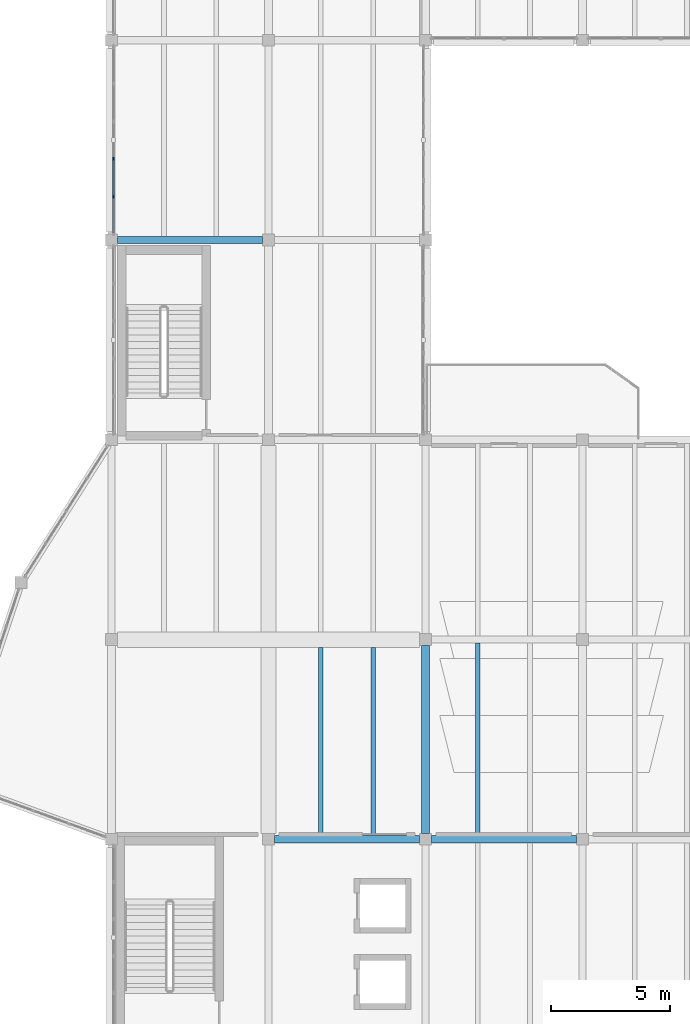
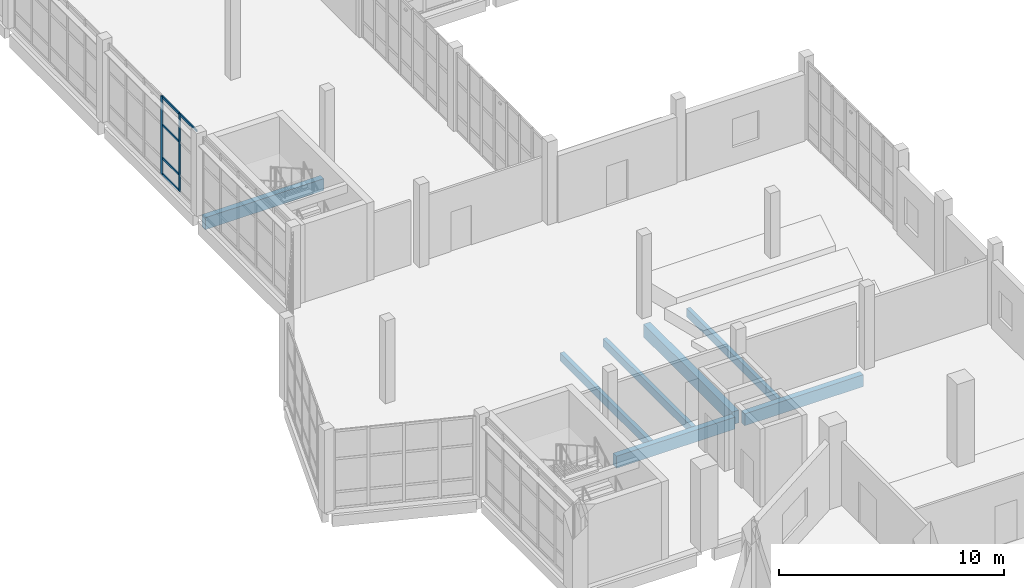
# One storey, part 24 of 76: 7 beams, 7 members, 1 element without a shape of its own.
"""IFC4 building model written with IfcOpenShell, lengths in metres."""

from ifc_helpers import new_model, si_unit, direction, frame, origin, origin_2d, place, context, subcontext, project, spatial, rectangle, extrude, material, material_profile, profile_set, type_object, element, aggregate, save


model = new_model("IFC4")

# Units and contexts
model_context = context("Model", 3, precision=1e-05, world=origin(), true_north=direction((0.0, 1.0)))
body_context = subcontext(model_context, "Body", "Model", "MODEL_VIEW")
ifc_project = project(units=[si_unit("LENGTHUNIT", "METRE"), si_unit("AREAUNIT", "SQUARE_METRE"), si_unit("VOLUMEUNIT", "CUBIC_METRE"), si_unit("PLANEANGLEUNIT", "RADIAN"), si_unit("MASSUNIT", "GRAM", prefix="KILO")], contexts=[model_context])

# Site, building, storey
site_placement = place(None, origin())
site = spatial("IfcSite", under=ifc_project, at=site_placement, CompositionType="ELEMENT")
building_placement = place(site_placement, origin())
building = spatial("IfcBuilding", under=site, at=building_placement, Name="Qaldarim Faculty of Natural and Applied Sciences", CompositionType="ELEMENT")
storey_placement = place(building_placement, frame((0.0, 0.0, 9.89990234375)))
storey = spatial("IfcBuildingStorey", under=building, at=storey_placement, Name="L02", CompositionType="ELEMENT", Elevation=9.89990234375)

# Beams
ifc_material_1 = material(Name="Concrete C40/50", Category="concrete")
ifc_material_profile_1 = material_profile(ifc_material_1, rectangle(XDim=0.199951171875, YDim=0.449951171875, at=origin_2d()), Name="RC-J200x450")
ifc_profile_set_1 = profile_set([ifc_material_profile_1], Name="Concrete C40/50")
beam_type_1 = type_object("IfcBeamType", Name="LabJoist-RC200x450", PredefinedType="JOIST", material=ifc_profile_set_1)
for number, where, z_axis, x_axis, name in (
    (1, (160.60009765625, 67.35009765625, -0.52490234375), (0.0, 1.0, 0.0), (-1.0, 0.0, 0.0), "Laboratory joist L01 bay X25Y09-1"),
    (2, (162.800048828125, 67.35009765625, -0.52490234375), (0.0, 1.0, 0.0), (-1.0, 0.0, 0.0), "Laboratory joist L01 bay X25Y09-2"),
):
    element("IfcBeam", number, at=place(storey_placement, frame(where, z_axis=z_axis, x_axis=x_axis)), inside=storey, type_object=beam_type_1, Name=name, PredefinedType="JOIST", context=body_context, shape_type="SweptSolid", body=[
        extrude(rectangle(XDim=0.199951171875, YDim=0.449951171875, at=origin_2d()), origin(), (0.0, 0.0, 1.0), 7.9248046875),
    ])
beam_1_placement = place(storey_placement, frame((167.199951171875, 67.35009765625, -0.52490234375), z_axis=(0.0, 1.0, 0.0), x_axis=(-1.0, 0.0, 0.0)))
element("IfcBeam", 3, at=beam_1_placement, inside=storey, type_object=beam_type_1, Name="Laboratory joist L01 bay X26Y09-1", PredefinedType="JOIST", context=body_context, shape_type="SweptSolid", body=[
    extrude(rectangle(XDim=0.199951171875, YDim=0.449951171875, at=origin_2d()), origin(), (0.0, 0.0, 1.0), 8.099853515625),
])

# Curtain wall, members
ifc_material_2 = material(Name="Anodised aluminium AW-6063", Category="aluminium")
curtain_wall_type = type_object("IfcCurtainWallType", Name="CurtainWallSystem-M1600", PredefinedType="USERDEFINED", material=ifc_material_2)
curtain_wall_placement = place(storey_placement, origin())
curtain_wall = element("IfcCurtainWall", 4, at=curtain_wall_placement, inside=storey, type_object=curtain_wall_type, Name="Curtain wall CW-L02-W-X24Y12", ObjectType="UNITISED FACADE", PredefinedType="USERDEFINED")
ifc_material_profile_2 = material_profile(ifc_material_2, rectangle(XDim=0.06005859375, YDim=0.14990234375, at=origin_2d()), Name="ALU-M60x150")
ifc_profile_set_2 = profile_set([ifc_material_profile_2], Name="Anodised aluminium AW-6063")
member_type_1 = type_object("IfcMemberType", Name="Mullion-ALU60x150", PredefinedType="MULLION", material=ifc_profile_set_2)
member_1_placement = place(storey_placement, frame((151.8798828125, 95.80908203125, 0.0), z_axis=(0.0, 0.0, 1.0), x_axis=(1.0, 0.0, 0.0)))
member_1 = element("IfcMember", 5, at=member_1_placement, type_object=member_type_1, Name="Mullion 4 of CW-L02-W-X24Y12", PredefinedType="MULLION", context=body_context, shape_type="SweptSolid", body=[
    extrude(rectangle(XDim=0.06005859375, YDim=0.14990234375, at=origin_2d()), origin(), (0.0, 0.0, 1.0), 4.239990234375),
])
member_2_placement = place(storey_placement, frame((151.8798828125, 94.22705078125, 0.0), z_axis=(0.0, 0.0, 1.0), x_axis=(1.0, 0.0, 0.0)))
member_2 = element("IfcMember", 6, at=member_2_placement, type_object=member_type_1, Name="Mullion 5 of CW-L02-W-X24Y12", PredefinedType="MULLION", context=body_context, shape_type="SweptSolid", body=[
    extrude(rectangle(XDim=0.06005859375, YDim=0.14990234375, at=origin_2d()), origin(), (0.0, 0.0, 1.0), 4.239990234375),
])

# Beams
ifc_material_profile_3 = material_profile(ifc_material_1, rectangle(XDim=0.300048828125, YDim=0.64990234375, at=origin_2d()), Name="RC-B300x650")
ifc_profile_set_3 = profile_set([ifc_material_profile_3], Name="Concrete C40/50")
beam_type_2 = type_object("IfcBeamType", Name="PrimaryBeam-RC300x650", PredefinedType="BEAM", material=ifc_profile_set_3)
for number, where, z_axis, x_axis, name in (
    (7, (158.64990234375, 67.199951171875, -0.625), (1.0, 0.0, 0.0), (0.0, 1.0, 0.0), "Beam RC-B300x650 L01 X25-X26/Y09"),
    (8, (165.25, 67.199951171875, -0.625), (1.0, 0.0, 0.0), (0.0, 1.0, 0.0), "Beam RC-B300x650 L01 X26-X27/Y09"),
):
    element("IfcBeam", number, at=place(storey_placement, frame(where, z_axis=z_axis, x_axis=x_axis)), inside=storey, type_object=beam_type_2, Name=name, PredefinedType="BEAM", context=body_context, shape_type="SweptSolid", body=[
        extrude(rectangle(XDim=0.300048828125, YDim=0.64990234375, at=origin_2d()), origin(), (0.0, 0.0, 1.0), 6.10009765625),
    ])
beam_2_placement = place(storey_placement, frame((152.050048828125, 92.39990234375, -0.625), z_axis=(1.0, 0.0, 0.0), x_axis=(0.0, 1.0, 0.0)))
element("IfcBeam", 9, at=beam_2_placement, inside=storey, type_object=beam_type_2, Name="Beam RC-B300x650 L01 X24-X25/Y12", PredefinedType="BEAM", context=body_context, shape_type="SweptSolid", body=[
    extrude(rectangle(XDim=0.300048828125, YDim=0.64990234375, at=origin_2d()), origin(), (0.0, 0.0, 1.0), 6.099853515625),
])
ifc_material_profile_4 = material_profile(ifc_material_1, rectangle(XDim=0.35009765625, YDim=0.699951171875, at=origin_2d()), Name="RC-B350x700")
ifc_profile_set_4 = profile_set([ifc_material_profile_4], Name="Concrete C40/50")
beam_type_3 = type_object("IfcBeamType", Name="PrimaryGirder-RC350x700", PredefinedType="BEAM", material=ifc_profile_set_4)
beam_3_placement = place(storey_placement, frame((165.0, 67.449951171875, -0.64990234375), z_axis=(0.0, 1.0, 0.0), x_axis=(-1.0, 0.0, 0.0)))
element("IfcBeam", 10, at=beam_3_placement, inside=storey, type_object=beam_type_3, Name="Beam RC-B350x700 L01 X26/Y09-Y10", PredefinedType="BEAM", context=body_context, shape_type="SweptSolid", body=[
    extrude(rectangle(XDim=0.35009765625, YDim=0.699951171875, at=origin_2d()), origin(), (0.0, 0.0, 1.0), 7.900146484375),
])

# Member
ifc_material_profile_5 = material_profile(ifc_material_2, rectangle(XDim=0.06005859375, YDim=0.1201171875, at=origin_2d()), Name="ALU-T60x120")
ifc_profile_set_5 = profile_set([ifc_material_profile_5], Name="Anodised aluminium AW-6063")
member_type_2 = type_object("IfcMemberType", Name="Transom-ALU60x120", PredefinedType="USERDEFINED", material=ifc_profile_set_5)
member_3_placement = place(storey_placement, frame((151.8798828125, 95.779052734375, 0.030029296875), z_axis=(0.0, -1.0, 0.0), x_axis=(1.0, 0.0, 0.0)))
member_3 = element("IfcMember", 11, at=member_3_placement, type_object=member_type_2, Name="Transom 4-1 of CW-L02-W-X24Y12", ObjectType="TRANSOM", PredefinedType="USERDEFINED", context=body_context, shape_type="SweptSolid", body=[
    extrude(rectangle(XDim=0.06005859375, YDim=0.1201171875, at=origin_2d()), origin(), (0.0, 0.0, 1.0), 1.52197265625),
])

member_4_placement = place(storey_placement, frame((151.8798828125, 95.779052734375, 0.900146484375), z_axis=(0.0, -1.0, 0.0), x_axis=(1.0, 0.0, 0.0)))
member_4 = element("IfcMember", 12, at=member_4_placement, type_object=member_type_2, Name="Transom 4-2 of CW-L02-W-X24Y12", ObjectType="TRANSOM", PredefinedType="USERDEFINED", context=body_context, shape_type="SweptSolid", body=[
    extrude(rectangle(XDim=0.06005859375, YDim=0.1201171875, at=origin_2d()), origin(), (0.0, 0.0, 1.0), 1.52197265625),
])

member_5_placement = place(storey_placement, frame((151.8798828125, 95.779052734375, 2.7001953125), z_axis=(0.0, -1.0, 0.0), x_axis=(1.0, 0.0, 0.0)))
member_5 = element("IfcMember", 13, at=member_5_placement, type_object=member_type_2, Name="Transom 4-3 of CW-L02-W-X24Y12", ObjectType="TRANSOM", PredefinedType="USERDEFINED", context=body_context, shape_type="SweptSolid", body=[
    extrude(rectangle(XDim=0.06005859375, YDim=0.1201171875, at=origin_2d()), origin(), (0.0, 0.0, 1.0), 1.52197265625),
])

member_6_placement = place(storey_placement, frame((151.8798828125, 95.779052734375, 4.210205078125), z_axis=(0.0, -1.0, 0.0), x_axis=(1.0, 0.0, 0.0)))
member_6 = element("IfcMember", 14, at=member_6_placement, type_object=member_type_2, Name="Transom 4-4 of CW-L02-W-X24Y12", ObjectType="TRANSOM", PredefinedType="USERDEFINED", context=body_context, shape_type="SweptSolid", body=[
    extrude(rectangle(XDim=0.06005859375, YDim=0.1201171875, at=origin_2d()), origin(), (0.0, 0.0, 1.0), 1.52197265625),
])

member_7_placement = place(storey_placement, frame((151.8798828125, 94.197021484375, 4.210205078125), z_axis=(0.0, -1.0, 0.0), x_axis=(1.0, 0.0, 0.0)))
member_7 = element("IfcMember", 15, at=member_7_placement, type_object=member_type_2, Name="Transom 5-4 of CW-L02-W-X24Y12", ObjectType="TRANSOM", PredefinedType="USERDEFINED", context=body_context, shape_type="SweptSolid", body=[
    extrude(rectangle(XDim=0.06005859375, YDim=0.1201171875, at=origin_2d()), origin(), (0.0, 0.0, 1.0), 1.491943359375),
])

aggregate(curtain_wall, [member_1, member_2, member_3, member_4, member_5, member_6, member_7])

save(model, "model.ifc")
